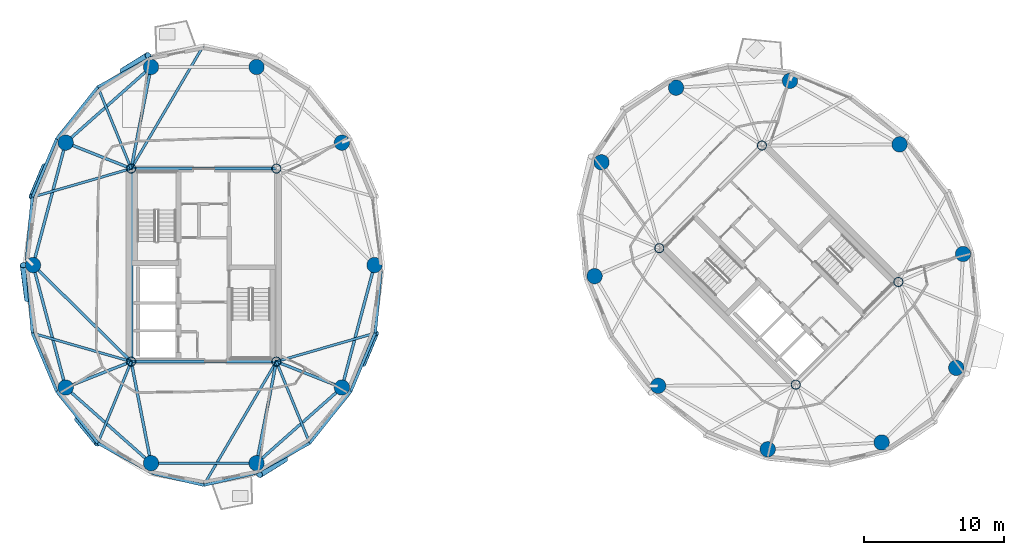
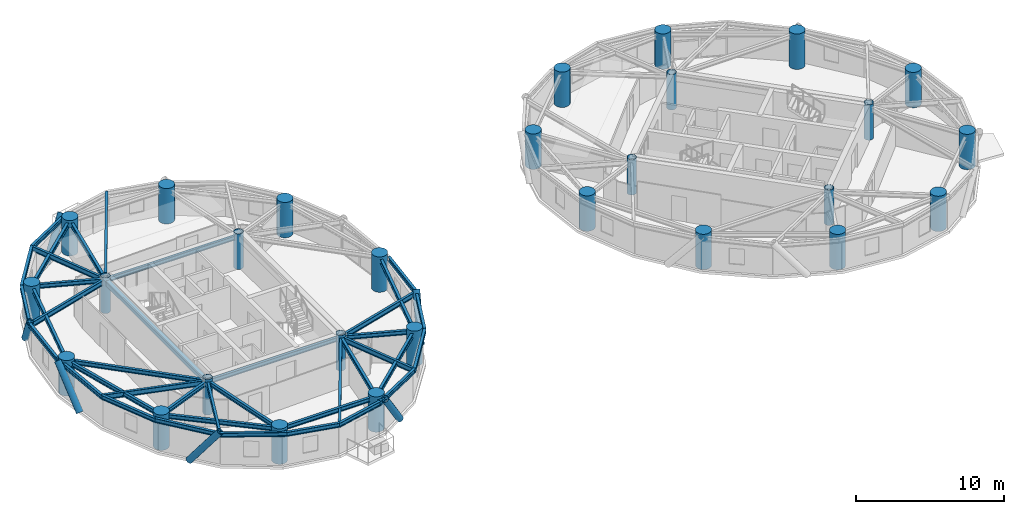
# One storey, part 1 of 15: 39 beams, 28 columns, 6 members.
"""IFC4 building model written with IfcOpenShell, lengths in metres."""

from ifc_helpers import new_model, si_unit, direction, frame, origin, origin_2d, place, context, subcontext, project, spatial, hollow_rectangle, circle, hollow_circle, i_section, extrude, material, material_profile, profile_set, type_object, element, save


model = new_model("IFC4")

# Units and contexts
model_context = context("Model", 3, precision=1e-05, world=origin(), true_north=direction((0.0, 1.0)))
body_context = subcontext(model_context, "Body", "Model", "MODEL_VIEW")
ifc_project = project(units=[si_unit("LENGTHUNIT", "METRE"), si_unit("AREAUNIT", "SQUARE_METRE"), si_unit("VOLUMEUNIT", "CUBIC_METRE"), si_unit("PLANEANGLEUNIT", "RADIAN"), si_unit("MASSUNIT", "GRAM", prefix="KILO")], contexts=[model_context])

# Site, building, storey
site_placement = place(None, origin())
site = spatial("IfcSite", under=ifc_project, at=site_placement, CompositionType="ELEMENT")
building_placement = place(site_placement, origin())
building = spatial("IfcBuilding", under=site, at=building_placement, Name="Cununo Teusaquillo Station Towers", CompositionType="ELEMENT")
storey_placement = place(building_placement, frame((0.0, 0.0, 199.570068359375)))
storey = spatial("IfcBuildingStorey", under=building, at=storey_placement, Name="L63", CompositionType="ELEMENT", Elevation=199.570068359375)

# Columns
ifc_material_1 = material(Name="Steel EN 10025-2 S355J2", Category="steel")
ifc_material_profile_1 = material_profile(ifc_material_1, hollow_circle(Radius=0.330078125, WallThickness=0.02490234375, at=origin_2d()), Name="CHS 660x25")
ifc_profile_set_1 = profile_set([ifc_material_profile_1], Name="Steel EN 10025-2 S355J2")
column_type_1 = type_object("IfcColumnType", Name="COL-CORE-Z3", PredefinedType="COLUMN", material=ifc_profile_set_1)
for number, where, z_axis, x_axis, name in (
    (1, (11.324951171875, 17.6201171875, 0.0), (0.0, 0.0, 1.0), (1.0, 0.0, 0.0), "L63 Tower A Core Column 1"),
    (2, (11.324951171875, 31.3798828125, 0.0), (0.0, 0.0, 1.0), (1.0, 0.0, 0.0), "L63 Tower A Core Column 2"),
    (3, (21.675048828125, 17.6201171875, 0.0), (0.0, 0.0, 1.0), (1.0, 0.0, 0.0), "L63 Tower A Core Column 3"),
    (4, (21.675048828125, 31.3798828125, 0.0), (0.0, 0.0, 1.0), (1.0, 0.0, 0.0), "L63 Tower A Core Column 4"),
    (5, (58.70556640625, 15.975830078125, 0.0), (0.0, 0.0, 1.0), (0.707106781187, 0.707106781187, 0.0), "L63 Tower B Core Column 1"),
    (6, (48.975830078125, 25.70556640625, 0.0), (0.0, 0.0, 1.0), (0.707106781187, 0.707106781187, 0.0), "L63 Tower B Core Column 2"),
    (7, (66.024169921875, 23.29443359375, 0.0), (0.0, 0.0, 1.0), (0.707106781187, 0.707106781187, 0.0), "L63 Tower B Core Column 3"),
    (8, (56.29443359375, 33.024169921875, 0.0), (0.0, 0.0, 1.0), (0.707106781187, 0.707106781187, 0.0), "L63 Tower B Core Column 4"),
):
    element("IfcColumn", number, at=place(storey_placement, frame(where, z_axis=z_axis, x_axis=x_axis)), inside=storey, type_object=column_type_1, Name=name, PredefinedType="COLUMN", context=body_context, shape_type="SweptSolid", body=[
        extrude(hollow_circle(Radius=0.330078125, WallThickness=0.02490234375, at=origin_2d()), origin(), (0.0, 0.0, 1.0), 2.909912109375),
    ])
ifc_material_2 = material(Name="Concrete C50/60", Category="concrete")
ifc_material_profile_2 = material_profile(ifc_material_2, circle(Radius=0.550048828125, at=origin_2d()), Name="RC-CIRC-1100")
ifc_profile_set_2 = profile_set([ifc_material_profile_2], Name="Concrete C50/60")
column_type_2 = type_object("IfcColumnType", Name="COL-MEGA-Z4", PredefinedType="USERDEFINED", material=ifc_profile_set_2)
for number, where, z_axis, x_axis, name in (
    (9, (28.672119140625, 24.5, 0.0), (0.0, 0.0, 1.0), (1.0, 0.0, 0.0), "L63 Tower A Perimeter Column V00"),
    (10, (26.347412109375, 33.228515625, 0.0), (0.0, 0.0, 1.0), (1.0, 0.0, 0.0), "L63 Tower A Perimeter Column V02"),
    (11, (20.261474609375, 38.623291015625, 0.0), (0.0, 0.0, 1.0), (1.0, 0.0, 0.0), "L63 Tower A Perimeter Column V04"),
    (12, (12.738525390625, 38.623291015625, 0.0), (0.0, 0.0, 1.0), (1.0, 0.0, 0.0), "L63 Tower A Perimeter Column V06"),
    (13, (6.652587890625, 33.228515625, 0.0), (0.0, 0.0, 1.0), (1.0, 0.0, 0.0), "L63 Tower A Perimeter Column V08"),
    (14, (4.327880859375, 24.5, 0.0), (0.0, 0.0, 1.0), (1.0, 0.0, 0.0), "L63 Tower A Perimeter Column V10"),
    (15, (6.652587890625, 15.771484375, 0.0), (0.0, 0.0, 1.0), (1.0, 0.0, 0.0), "L63 Tower A Perimeter Column V12"),
    (16, (12.738525390625, 10.376708984375, 0.0), (0.0, 0.0, 1.0), (1.0, 0.0, 0.0), "L63 Tower A Perimeter Column V14"),
    (17, (20.261474609375, 10.376708984375, 0.0), (0.0, 0.0, 1.0), (1.0, 0.0, 0.0), "L63 Tower A Perimeter Column V16"),
    (18, (26.347412109375, 15.771484375, 0.0), (0.0, 0.0, 1.0), (1.0, 0.0, 0.0), "L63 Tower A Perimeter Column V18"),
    (19, (66.10693359375, 33.10693359375, 0.0), (0.0, 0.0, 1.0), (1.0, 0.0, 0.0), "L63 Tower B Perimeter Column V00"),
    (20, (58.291015625, 37.63525390625, 0.0), (0.0, 0.0, 1.0), (1.0, 0.0, 0.0), "L63 Tower B Perimeter Column V02"),
    (21, (50.173095703125, 37.146240234375, 0.0), (0.0, 0.0, 1.0), (1.0, 0.0, 0.0), "L63 Tower B Perimeter Column V04"),
    (22, (44.853759765625, 31.826904296875, 0.0), (0.0, 0.0, 1.0), (1.0, 0.0, 0.0), "L63 Tower B Perimeter Column V06"),
    (23, (44.36474609375, 23.708984375, 0.0), (0.0, 0.0, 1.0), (1.0, 0.0, 0.0), "L63 Tower B Perimeter Column V08"),
    (24, (48.89306640625, 15.89306640625, 0.0), (0.0, 0.0, 1.0), (1.0, 0.0, 0.0), "L63 Tower B Perimeter Column V10"),
    (25, (56.708984375, 11.36474609375, 0.0), (0.0, 0.0, 1.0), (1.0, 0.0, 0.0), "L63 Tower B Perimeter Column V12"),
    (26, (64.826904296875, 11.853759765625, 0.0), (0.0, 0.0, 1.0), (1.0, 0.0, 0.0), "L63 Tower B Perimeter Column V14"),
    (27, (70.146240234375, 17.173095703125, 0.0), (0.0, 0.0, 1.0), (1.0, 0.0, 0.0), "L63 Tower B Perimeter Column V16"),
    (28, (70.63525390625, 25.291015625, 0.0), (0.0, 0.0, 1.0), (1.0, 0.0, 0.0), "L63 Tower B Perimeter Column V18"),
):
    element("IfcColumn", number, at=place(storey_placement, frame(where, z_axis=z_axis, x_axis=x_axis)), inside=storey, type_object=column_type_2, Name=name, ObjectType="MEGA COLUMN", PredefinedType="USERDEFINED", context=body_context, shape_type="SweptSolid", body=[
        extrude(circle(Radius=0.550048828125, at=origin_2d()), origin(), (0.0, 0.0, 1.0), 2.909912109375),
    ])

# Beams
ifc_material_3 = material(Name="Steel EN 10025-2 S355J2", Category="steel")
ifc_material_profile_3 = material_profile(ifc_material_3, hollow_rectangle(XDim=0.25, YDim=0.449951171875, WallThickness=0.01611328125, at=origin_2d()), Name="RHS 450x250x16")
ifc_profile_set_3 = profile_set([ifc_material_profile_3], Name="Steel EN 10025-2 S355J2")
beam_type_1 = type_object("IfcBeamType", Name="BM-COUP-1", PredefinedType="USERDEFINED", material=ifc_profile_set_3)
beam_1_placement = place(storey_placement, frame((11.324951171875, 17.6201171875, 2.474853515625), z_axis=(0.0, 1.0, 0.0), x_axis=(-1.0, 0.0, 0.0)))
element("IfcBeam", 29, at=beam_1_placement, inside=storey, type_object=beam_type_1, Name="L63 Tower A Core Beam 1", ObjectType="COUPLING BEAM", PredefinedType="USERDEFINED", context=body_context, shape_type="SweptSolid", body=[
    extrude(hollow_rectangle(XDim=0.25, YDim=0.449951171875, WallThickness=0.01611328125, at=origin_2d()), origin(), (0.0, 0.0, 1.0), 13.759765625),
])
ifc_material_4 = material(Name="Steel ASTM A572 Grade 50", Category="steel")
ifc_material_profile_4 = material_profile(ifc_material_4, i_section(OverallWidth=0.180908203125, OverallDepth=0.4169921875, WebThickness=0.010986328125, FlangeThickness=0.018310546875, FilletRadius=0.012939453125, at=origin_2d()), Name="W16X57")
ifc_profile_set_4 = profile_set([ifc_material_profile_4], Name="Steel ASTM A572 Grade 50")
beam_type_2 = type_object("IfcBeamType", Name="BM-JOIST-1", PredefinedType="JOIST", material=ifc_profile_set_4)
beam_2_placement = place(storey_placement, frame((11.324951171875, 31.3798828125, 2.491455078125), z_axis=(0.506486432091, 0.862247930765, 0.0), x_axis=(-0.862247930765, 0.506486432091, 0.0)))
element("IfcBeam", 30, at=beam_2_placement, inside=storey, type_object=beam_type_2, Name="L63 Tower A Radial Spandrel Joist V05", PredefinedType="JOIST", context=body_context, shape_type="SweptSolid", body=[
    extrude(i_section(OverallWidth=0.180908203125, OverallDepth=0.4169921875, WebThickness=0.010986328125, FlangeThickness=0.018310546875, FilletRadius=0.012939453125, at=origin_2d()), origin(), (0.0, 0.0, 1.0), 10.217529296875),
])
beam_3_placement = place(storey_placement, frame((11.324951171875, 31.3798828125, 2.491455078125), z_axis=(-0.378576847217, 0.925569862707, 0.0), x_axis=(-0.925569862707, -0.378576847217, 0.0)))
element("IfcBeam", 31, at=beam_3_placement, inside=storey, type_object=beam_type_2, Name="L63 Tower A Radial Spandrel Joist V07", PredefinedType="JOIST", context=body_context, shape_type="SweptSolid", body=[
    extrude(i_section(OverallWidth=0.180908203125, OverallDepth=0.4169921875, WebThickness=0.010986328125, FlangeThickness=0.018310546875, FilletRadius=0.012939453125, at=origin_2d()), origin(), (0.0, 0.0, 1.0), 6.28125),
])
for number, where, z_axis, x_axis, name in (
    (32, (11.324951171875, 31.3798828125, 2.491455078125), (-0.960861603375, -0.277028841748, 0.0), (0.277028841748, -0.960861603375, 0.0), "L63 Tower A Radial Spandrel Joist V09"),
    (33, (11.324951171875, 17.6201171875, 2.491455078125), (-0.960861603375, 0.277028841748, 0.0), (-0.277028841748, -0.960861603375, 0.0), "L63 Tower A Radial Spandrel Joist V11"),
):
    element("IfcBeam", number, at=place(storey_placement, frame(where, z_axis=z_axis, x_axis=x_axis)), inside=storey, type_object=beam_type_2, Name=name, PredefinedType="JOIST", context=body_context, shape_type="SweptSolid", body=[
        extrude(i_section(OverallWidth=0.180908203125, OverallDepth=0.4169921875, WebThickness=0.010986328125, FlangeThickness=0.018310546875, FilletRadius=0.012939453125, at=origin_2d()), origin(), (0.0, 0.0, 1.0), 7.333251953125),
    ])
beam_4_placement = place(storey_placement, frame((11.324951171875, 17.6201171875, 2.491455078125), z_axis=(-0.378576847217, -0.925569862707, 0.0), x_axis=(0.925569862707, -0.378576847217, 0.0)))
element("IfcBeam", 34, at=beam_4_placement, inside=storey, type_object=beam_type_2, Name="L63 Tower A Radial Spandrel Joist V13", PredefinedType="JOIST", context=body_context, shape_type="SweptSolid", body=[
    extrude(i_section(OverallWidth=0.180908203125, OverallDepth=0.4169921875, WebThickness=0.010986328125, FlangeThickness=0.018310546875, FilletRadius=0.012939453125, at=origin_2d()), origin(), (0.0, 0.0, 1.0), 6.28125),
])
beam_5_placement = place(storey_placement, frame((21.675048828125, 17.6201171875, 2.491455078125), z_axis=(-0.506486432091, -0.862247930765, 0.0), x_axis=(0.862247930765, -0.506486432091, 0.0)))
element("IfcBeam", 35, at=beam_5_placement, inside=storey, type_object=beam_type_2, Name="L63 Tower A Radial Spandrel Joist V15", PredefinedType="JOIST", context=body_context, shape_type="SweptSolid", body=[
    extrude(i_section(OverallWidth=0.180908203125, OverallDepth=0.4169921875, WebThickness=0.010986328125, FlangeThickness=0.018310546875, FilletRadius=0.012939453125, at=origin_2d()), origin(), (0.0, 0.0, 1.0), 10.217529296875),
])
beam_6_placement = place(storey_placement, frame((21.675048828125, 17.6201171875, 2.491455078125), z_axis=(0.378576847217, -0.925569862707, 0.0), x_axis=(0.925569862707, 0.378576847217, 0.0)))
element("IfcBeam", 36, at=beam_6_placement, inside=storey, type_object=beam_type_2, Name="L63 Tower A Radial Spandrel Joist V17", PredefinedType="JOIST", context=body_context, shape_type="SweptSolid", body=[
    extrude(i_section(OverallWidth=0.180908203125, OverallDepth=0.4169921875, WebThickness=0.010986328125, FlangeThickness=0.018310546875, FilletRadius=0.012939453125, at=origin_2d()), origin(), (0.0, 0.0, 1.0), 6.28125),
])
beam_7_placement = place(storey_placement, frame((21.675048828125, 17.6201171875, 2.491455078125), z_axis=(0.960861603375, 0.277028841748, 0.0), x_axis=(-0.277028841748, 0.960861603375, 0.0)))
element("IfcBeam", 37, at=beam_7_placement, inside=storey, type_object=beam_type_2, Name="L63 Tower A Radial Spandrel Joist V19", PredefinedType="JOIST", context=body_context, shape_type="SweptSolid", body=[
    extrude(i_section(OverallWidth=0.180908203125, OverallDepth=0.4169921875, WebThickness=0.010986328125, FlangeThickness=0.018310546875, FilletRadius=0.012939453125, at=origin_2d()), origin(), (0.0, 0.0, 1.0), 7.333251953125),
])
ifc_material_5 = material(Name="Steel ASTM A572 Grade 50", Category="steel")
ifc_material_profile_5 = material_profile(ifc_material_5, i_section(OverallWidth=0.2041015625, OverallDepth=0.35009765625, WebThickness=0.008544921875, FlangeThickness=0.01513671875, FilletRadius=0.011962890625, at=origin_2d()), Name="W14X48")
ifc_profile_set_5 = profile_set([ifc_material_profile_5], Name="Steel ASTM A572 Grade 50")
beam_type_3 = type_object("IfcBeamType", Name="BM-LINTEL-1", PredefinedType="LINTEL", material=ifc_profile_set_5)
for number, where, z_axis, x_axis, name in (
    (38, (11.324951171875, 17.6201171875, 2.52490234375), (1.0, 0.0, 0.0), (0.0, 1.0, 0.0), "L63 Tower A Core Beam 3"),
    (39, (11.324951171875, 31.3798828125, 2.52490234375), (1.0, 0.0, 0.0), (0.0, 1.0, 0.0), "L63 Tower A Core Beam 4"),
):
    element("IfcBeam", number, at=place(storey_placement, frame(where, z_axis=z_axis, x_axis=x_axis)), inside=storey, type_object=beam_type_3, Name=name, PredefinedType="LINTEL", context=body_context, shape_type="SweptSolid", body=[
        extrude(i_section(OverallWidth=0.2041015625, OverallDepth=0.35009765625, WebThickness=0.008544921875, FlangeThickness=0.01513671875, FilletRadius=0.011962890625, at=origin_2d()), origin(), (0.0, 0.0, 1.0), 10.35009765625),
    ])
ifc_material_6 = material(Name="Steel ASTM A572 Grade 50", Category="steel")
ifc_material_profile_6 = material_profile(ifc_material_6, i_section(OverallWidth=0.2041015625, OverallDepth=0.35009765625, WebThickness=0.008544921875, FlangeThickness=0.01513671875, FilletRadius=0.011962890625, at=origin_2d()), Name="W14X48")
ifc_profile_set_6 = profile_set([ifc_material_profile_6], Name="Steel ASTM A572 Grade 50")
beam_type_4 = type_object("IfcBeamType", Name="BM-RAD-G3", PredefinedType="BEAM", material=ifc_profile_set_6)
beam_8_placement = place(storey_placement, frame((11.324951171875, 31.3798828125, 2.52490234375), z_axis=(0.191548487699, 0.981483151593, 0.0), x_axis=(-0.981483151593, 0.191548487699, 0.0)))
element("IfcBeam", 40, at=beam_8_placement, inside=storey, type_object=beam_type_4, Name="L63 Tower A Continuous Overhanging Radial Girder 04", PredefinedType="BEAM", context=body_context, shape_type="SweptSolid", body=[
    extrude(i_section(OverallWidth=0.2041015625, OverallDepth=0.35009765625, WebThickness=0.008544921875, FlangeThickness=0.01513671875, FilletRadius=0.011962890625, at=origin_2d()), origin(), (0.0, 0.0, 1.0), 8.1240234375),
])
beam_9_placement = place(storey_placement, frame((11.324951171875, 31.3798828125, 2.52490234375), z_axis=(-0.929851670487, 0.36793460138, 0.0), x_axis=(-0.36793460138, -0.929851670487, 0.0)))
element("IfcBeam", 41, at=beam_9_placement, inside=storey, type_object=beam_type_4, Name="L63 Tower A Continuous Overhanging Radial Girder 05", PredefinedType="BEAM", context=body_context, shape_type="SweptSolid", body=[
    extrude(i_section(OverallWidth=0.2041015625, OverallDepth=0.35009765625, WebThickness=0.008544921875, FlangeThickness=0.01513671875, FilletRadius=0.011962890625, at=origin_2d()), origin(), (0.0, 0.0, 1.0), 5.71630859375),
])
beam_10_placement = place(storey_placement, frame((11.324951171875, 17.6201171875, 2.52490234375), z_axis=(-0.713052701438, 0.701110437073, 0.0), x_axis=(-0.701110437073, -0.713052701438, 0.0)))
element("IfcBeam", 42, at=beam_10_placement, inside=storey, type_object=beam_type_4, Name="L63 Tower A Radial Girder 06A", PredefinedType="BEAM", context=body_context, shape_type="SweptSolid", body=[
    extrude(i_section(OverallWidth=0.2041015625, OverallDepth=0.35009765625, WebThickness=0.008544921875, FlangeThickness=0.01513671875, FilletRadius=0.011962890625, at=origin_2d()), origin(), (0.0, 0.0, 1.0), 9.812744140625),
])
beam_11_placement = place(storey_placement, frame((11.324951171875, 17.6201171875, 2.52490234375), z_axis=(-0.929851670487, -0.36793460138, 0.0), x_axis=(0.36793460138, -0.929851670487, 0.0)))
element("IfcBeam", 43, at=beam_11_placement, inside=storey, type_object=beam_type_4, Name="L63 Tower A Continuous Overhanging Radial Girder 07", PredefinedType="BEAM", context=body_context, shape_type="SweptSolid", body=[
    extrude(i_section(OverallWidth=0.2041015625, OverallDepth=0.35009765625, WebThickness=0.008544921875, FlangeThickness=0.01513671875, FilletRadius=0.011962890625, at=origin_2d()), origin(), (0.0, 0.0, 1.0), 5.71630859375),
])
for number, where, z_axis, x_axis, name in (
    (44, (11.324951171875, 17.6201171875, 2.52490234375), (0.191548487699, -0.981483151593, 0.0), (0.981483151593, 0.191548487699, 0.0), "L63 Tower A Continuous Overhanging Radial Girder 08"),
    (45, (21.675048828125, 17.6201171875, 2.52490234375), (-0.191548487699, -0.981483151593, 0.0), (0.981483151593, -0.191548487699, 0.0), "L63 Tower A Continuous Overhanging Radial Girder 09"),
):
    element("IfcBeam", number, at=place(storey_placement, frame(where, z_axis=z_axis, x_axis=x_axis)), inside=storey, type_object=beam_type_4, Name=name, PredefinedType="BEAM", context=body_context, shape_type="SweptSolid", body=[
        extrude(i_section(OverallWidth=0.2041015625, OverallDepth=0.35009765625, WebThickness=0.008544921875, FlangeThickness=0.01513671875, FilletRadius=0.011962890625, at=origin_2d()), origin(), (0.0, 0.0, 1.0), 8.1240234375),
    ])
beam_12_placement = place(storey_placement, frame((21.675048828125, 17.6201171875, 2.52490234375), z_axis=(0.929851670487, -0.36793460138, 0.0), x_axis=(0.36793460138, 0.929851670487, 0.0)))
element("IfcBeam", 46, at=beam_12_placement, inside=storey, type_object=beam_type_4, Name="L63 Tower A Continuous Overhanging Radial Girder 10", PredefinedType="BEAM", context=body_context, shape_type="SweptSolid", body=[
    extrude(i_section(OverallWidth=0.2041015625, OverallDepth=0.35009765625, WebThickness=0.008544921875, FlangeThickness=0.01513671875, FilletRadius=0.011962890625, at=origin_2d()), origin(), (0.0, 0.0, 1.0), 5.71630859375),
])
ifc_material_7 = material(Name="Steel ASTM A572 Grade 50", Category="steel")
ifc_material_profile_7 = material_profile(ifc_material_7, i_section(OverallWidth=0.2041015625, OverallDepth=0.35009765625, WebThickness=0.008544921875, FlangeThickness=0.01513671875, FilletRadius=0.011962890625, at=origin_2d()), Name="W14X48")
ifc_profile_set_7 = profile_set([ifc_material_profile_7], Name="Steel ASTM A572 Grade 50")
beam_type_5 = type_object("IfcBeamType", Name="BM-RING-Z4", PredefinedType="SPANDREL", material=ifc_profile_set_7)
beam_13_placement = place(storey_placement, frame((12.738525390625, 38.623291015625, 2.52490234375), z_axis=(-0.74832120039, -0.66333655187, 0.0), x_axis=(0.66333655187, -0.74832120039, 0.0)))
element("IfcBeam", 47, at=beam_13_placement, inside=storey, type_object=beam_type_5, Name="L63 Tower A Structural Column Ring Girder 04", PredefinedType="SPANDREL", context=body_context, shape_type="SweptSolid", body=[
    extrude(i_section(OverallWidth=0.2041015625, OverallDepth=0.35009765625, WebThickness=0.008544921875, FlangeThickness=0.01513671875, FilletRadius=0.011962890625, at=origin_2d()), origin(), (0.0, 0.0, 1.0), 8.1328125),
])
for number, where, z_axis, x_axis, name in (
    (48, (6.652587890625, 33.228515625, 2.52490234375), (-0.257363196347, -0.966314744359, 0.0), (0.966314744359, -0.257363196347, 0.0), "L63 Tower A Structural Column Ring Girder 05"),
    (49, (4.327880859375, 24.5, 2.52490234375), (0.257363196347, -0.966314744359, 0.0), (0.966314744359, 0.257363196347, 0.0), "L63 Tower A Structural Column Ring Girder 06"),
):
    element("IfcBeam", number, at=place(storey_placement, frame(where, z_axis=z_axis, x_axis=x_axis)), inside=storey, type_object=beam_type_5, Name=name, PredefinedType="SPANDREL", context=body_context, shape_type="SweptSolid", body=[
        extrude(i_section(OverallWidth=0.2041015625, OverallDepth=0.35009765625, WebThickness=0.008544921875, FlangeThickness=0.01513671875, FilletRadius=0.011962890625, at=origin_2d()), origin(), (0.0, 0.0, 1.0), 9.03271484375),
    ])
beam_14_placement = place(storey_placement, frame((6.652587890625, 15.771484375, 2.52490234375), z_axis=(0.74832120039, -0.66333655187, 0.0), x_axis=(0.66333655187, 0.74832120039, 0.0)))
element("IfcBeam", 50, at=beam_14_placement, inside=storey, type_object=beam_type_5, Name="L63 Tower A Structural Column Ring Girder 07", PredefinedType="SPANDREL", context=body_context, shape_type="SweptSolid", body=[
    extrude(i_section(OverallWidth=0.2041015625, OverallDepth=0.35009765625, WebThickness=0.008544921875, FlangeThickness=0.01513671875, FilletRadius=0.011962890625, at=origin_2d()), origin(), (0.0, 0.0, 1.0), 8.1328125),
])
beam_15_placement = place(storey_placement, frame((12.738525390625, 10.376708984375, 2.52490234375), z_axis=(1.0, 0.0, 0.0), x_axis=(0.0, 1.0, 0.0)))
element("IfcBeam", 51, at=beam_15_placement, inside=storey, type_object=beam_type_5, Name="L63 Tower A Structural Column Ring Girder 08", PredefinedType="SPANDREL", context=body_context, shape_type="SweptSolid", body=[
    extrude(i_section(OverallWidth=0.2041015625, OverallDepth=0.35009765625, WebThickness=0.008544921875, FlangeThickness=0.01513671875, FilletRadius=0.011962890625, at=origin_2d()), origin(), (0.0, 0.0, 1.0), 7.52294921875),
])
beam_16_placement = place(storey_placement, frame((20.261474609375, 10.376708984375, 2.52490234375), z_axis=(0.74832120039, 0.66333655187, 0.0), x_axis=(-0.66333655187, 0.74832120039, 0.0)))
element("IfcBeam", 52, at=beam_16_placement, inside=storey, type_object=beam_type_5, Name="L63 Tower A Structural Column Ring Girder 09", PredefinedType="SPANDREL", context=body_context, shape_type="SweptSolid", body=[
    extrude(i_section(OverallWidth=0.2041015625, OverallDepth=0.35009765625, WebThickness=0.008544921875, FlangeThickness=0.01513671875, FilletRadius=0.011962890625, at=origin_2d()), origin(), (0.0, 0.0, 1.0), 8.1328125),
])
beam_17_placement = place(storey_placement, frame((26.347412109375, 15.771484375, 2.52490234375), z_axis=(0.257363196347, 0.966314744359, 0.0), x_axis=(-0.966314744359, 0.257363196347, 0.0)))
element("IfcBeam", 53, at=beam_17_placement, inside=storey, type_object=beam_type_5, Name="L63 Tower A Structural Column Ring Girder 10", PredefinedType="SPANDREL", context=body_context, shape_type="SweptSolid", body=[
    extrude(i_section(OverallWidth=0.2041015625, OverallDepth=0.35009765625, WebThickness=0.008544921875, FlangeThickness=0.01513671875, FilletRadius=0.011962890625, at=origin_2d()), origin(), (0.0, 0.0, 1.0), 9.03271484375),
])
beam_18_placement = place(storey_placement, frame((12.881103515625, 39.353515625, 2.52490234375), z_axis=(-0.876576300909, -0.481262910149, 0.0), x_axis=(0.481262910149, -0.876576300909, 0.0)))
element("IfcBeam", 54, at=beam_18_placement, inside=storey, type_object=beam_type_5, Name="L63 Tower A Spandrel Ring Beam 07", PredefinedType="SPANDREL", context=body_context, shape_type="SweptSolid", body=[
    extrude(i_section(OverallWidth=0.2041015625, OverallDepth=0.35009765625, WebThickness=0.008544921875, FlangeThickness=0.01513671875, FilletRadius=0.011962890625, at=origin_2d()), origin(), (0.0, 0.0, 1.0), 4.488037109375),
])
beam_19_placement = place(storey_placement, frame((8.947021484375, 37.193603515625, 2.52490234375), z_axis=(-0.620710872531, -0.784039547932, 0.0), x_axis=(0.784039547932, -0.620710872531, 0.0)))
element("IfcBeam", 55, at=beam_19_placement, inside=storey, type_object=beam_type_5, Name="L63 Tower A Spandrel Ring Beam 08", PredefinedType="SPANDREL", context=body_context, shape_type="SweptSolid", body=[
    extrude(i_section(OverallWidth=0.2041015625, OverallDepth=0.35009765625, WebThickness=0.008544921875, FlangeThickness=0.01513671875, FilletRadius=0.011962890625, at=origin_2d()), origin(), (0.0, 0.0, 1.0), 4.732421875),
])
beam_20_placement = place(storey_placement, frame((6.009521484375, 33.483154296875, 2.52490234375), z_axis=(-0.386115454066, -0.922450462698, 0.0), x_axis=(0.922450462698, -0.386115454066, 0.0)))
element("IfcBeam", 56, at=beam_20_placement, inside=storey, type_object=beam_type_5, Name="L63 Tower A Spandrel Ring Beam 09", PredefinedType="SPANDREL", context=body_context, shape_type="SweptSolid", body=[
    extrude(i_section(OverallWidth=0.2041015625, OverallDepth=0.35009765625, WebThickness=0.008544921875, FlangeThickness=0.01513671875, FilletRadius=0.011962890625, at=origin_2d()), origin(), (0.0, 0.0, 1.0), 4.482421875),
])
beam_21_placement = place(storey_placement, frame((4.27880859375, 29.348388671875, 2.52490234375), z_axis=(-0.093902932611, -0.995581357422, 0.0), x_axis=(0.995581357422, -0.093902932611, 0.0)))
element("IfcBeam", 57, at=beam_21_placement, inside=storey, type_object=beam_type_5, Name="L63 Tower A Spandrel Ring Beam 10", PredefinedType="SPANDREL", context=body_context, shape_type="SweptSolid", body=[
    extrude(i_section(OverallWidth=0.2041015625, OverallDepth=0.35009765625, WebThickness=0.008544921875, FlangeThickness=0.01513671875, FilletRadius=0.011962890625, at=origin_2d()), origin(), (0.0, 0.0, 1.0), 4.412109375),
])
beam_22_placement = place(storey_placement, frame((3.864501953125, 24.955810546875, 2.52490234375), z_axis=(0.077871988965, -0.996963366095, 0.0), x_axis=(0.996963366095, 0.077871988965, 0.0)))
element("IfcBeam", 58, at=beam_22_placement, inside=storey, type_object=beam_type_5, Name="L63 Tower A Spandrel Ring Beam 11", PredefinedType="SPANDREL", context=body_context, shape_type="SweptSolid", body=[
    extrude(i_section(OverallWidth=0.2041015625, OverallDepth=0.35009765625, WebThickness=0.008544921875, FlangeThickness=0.01513671875, FilletRadius=0.011962890625, at=origin_2d()), origin(), (0.0, 0.0, 1.0), 5.3203125),
])
beam_23_placement = place(storey_placement, frame((4.27880859375, 19.651611328125, 2.52490234375), z_axis=(0.386115454066, -0.922450462698, 0.0), x_axis=(0.922450462698, 0.386115454066, 0.0)))
element("IfcBeam", 59, at=beam_23_placement, inside=storey, type_object=beam_type_5, Name="L63 Tower A Spandrel Ring Beam 12", PredefinedType="SPANDREL", context=body_context, shape_type="SweptSolid", body=[
    extrude(i_section(OverallWidth=0.2041015625, OverallDepth=0.35009765625, WebThickness=0.008544921875, FlangeThickness=0.01513671875, FilletRadius=0.011962890625, at=origin_2d()), origin(), (0.0, 0.0, 1.0), 4.482421875),
])
beam_24_placement = place(storey_placement, frame((6.009521484375, 15.516845703125, 2.52490234375), z_axis=(0.620710872531, -0.784039547932, 0.0), x_axis=(0.784039547932, 0.620710872531, 0.0)))
element("IfcBeam", 60, at=beam_24_placement, inside=storey, type_object=beam_type_5, Name="L63 Tower A Spandrel Ring Beam 13", PredefinedType="SPANDREL", context=body_context, shape_type="SweptSolid", body=[
    extrude(i_section(OverallWidth=0.2041015625, OverallDepth=0.35009765625, WebThickness=0.008544921875, FlangeThickness=0.01513671875, FilletRadius=0.011962890625, at=origin_2d()), origin(), (0.0, 0.0, 1.0), 4.732421875),
])
beam_25_placement = place(storey_placement, frame((8.947021484375, 11.806396484375, 2.52490234375), z_axis=(0.876576300909, -0.481262910149, 0.0), x_axis=(0.481262910149, 0.876576300909, 0.0)))
element("IfcBeam", 61, at=beam_25_placement, inside=storey, type_object=beam_type_5, Name="L63 Tower A Spandrel Ring Beam 14", PredefinedType="SPANDREL", context=body_context, shape_type="SweptSolid", body=[
    extrude(i_section(OverallWidth=0.2041015625, OverallDepth=0.35009765625, WebThickness=0.008544921875, FlangeThickness=0.01513671875, FilletRadius=0.011962890625, at=origin_2d()), origin(), (0.0, 0.0, 1.0), 4.488037109375),
])
for number, where, z_axis, x_axis, name in (
    (62, (12.881103515625, 9.646484375, 2.52490234375), (0.97431470066, -0.225190728224, 0.0), (0.225190728224, 0.97431470066, 0.0), "L63 Tower A Spandrel Ring Beam 15"),
    (63, (16.5, 8.81005859375, 2.52490234375), (0.97431470066, 0.225190728224, 0.0), (-0.225190728224, 0.97431470066, 0.0), "L63 Tower A Spandrel Ring Beam 16"),
):
    element("IfcBeam", number, at=place(storey_placement, frame(where, z_axis=z_axis, x_axis=x_axis)), inside=storey, type_object=beam_type_5, Name=name, PredefinedType="SPANDREL", context=body_context, shape_type="SweptSolid", body=[
        extrude(i_section(OverallWidth=0.2041015625, OverallDepth=0.35009765625, WebThickness=0.008544921875, FlangeThickness=0.01513671875, FilletRadius=0.011962890625, at=origin_2d()), origin(), (0.0, 0.0, 1.0), 3.71435546875),
    ])
beam_26_placement = place(storey_placement, frame((20.118896484375, 9.646484375, 2.52490234375), z_axis=(0.876576300909, 0.481262910149, 0.0), x_axis=(-0.481262910149, 0.876576300909, 0.0)))
element("IfcBeam", 64, at=beam_26_placement, inside=storey, type_object=beam_type_5, Name="L63 Tower A Spandrel Ring Beam 17", PredefinedType="SPANDREL", context=body_context, shape_type="SweptSolid", body=[
    extrude(i_section(OverallWidth=0.2041015625, OverallDepth=0.35009765625, WebThickness=0.008544921875, FlangeThickness=0.01513671875, FilletRadius=0.011962890625, at=origin_2d()), origin(), (0.0, 0.0, 1.0), 4.488037109375),
])
beam_27_placement = place(storey_placement, frame((24.052978515625, 11.806396484375, 2.52490234375), z_axis=(0.620710872531, 0.784039547932, 0.0), x_axis=(-0.784039547932, 0.620710872531, 0.0)))
element("IfcBeam", 65, at=beam_27_placement, inside=storey, type_object=beam_type_5, Name="L63 Tower A Spandrel Ring Beam 18", PredefinedType="SPANDREL", context=body_context, shape_type="SweptSolid", body=[
    extrude(i_section(OverallWidth=0.2041015625, OverallDepth=0.35009765625, WebThickness=0.008544921875, FlangeThickness=0.01513671875, FilletRadius=0.011962890625, at=origin_2d()), origin(), (0.0, 0.0, 1.0), 4.732421875),
])
beam_28_placement = place(storey_placement, frame((26.990478515625, 15.516845703125, 2.52490234375), z_axis=(0.386115454066, 0.922450462698, 0.0), x_axis=(-0.922450462698, 0.386115454066, 0.0)))
element("IfcBeam", 66, at=beam_28_placement, inside=storey, type_object=beam_type_5, Name="L63 Tower A Spandrel Ring Beam 19", PredefinedType="SPANDREL", context=body_context, shape_type="SweptSolid", body=[
    extrude(i_section(OverallWidth=0.2041015625, OverallDepth=0.35009765625, WebThickness=0.008544921875, FlangeThickness=0.01513671875, FilletRadius=0.011962890625, at=origin_2d()), origin(), (0.0, 0.0, 1.0), 4.482421875),
])
beam_29_placement = place(storey_placement, frame((28.72119140625, 19.651611328125, 2.52490234375), z_axis=(0.093902932611, 0.995581357422, 0.0), x_axis=(-0.995581357422, 0.093902932611, 0.0)))
element("IfcBeam", 67, at=beam_29_placement, inside=storey, type_object=beam_type_5, Name="L63 Tower A Spandrel Ring Beam 20", PredefinedType="SPANDREL", context=body_context, shape_type="SweptSolid", body=[
    extrude(i_section(OverallWidth=0.2041015625, OverallDepth=0.35009765625, WebThickness=0.008544921875, FlangeThickness=0.01513671875, FilletRadius=0.011962890625, at=origin_2d()), origin(), (0.0, 0.0, 1.0), 4.412109375),
])

# Members
ifc_material_8 = material(Name="Steel EN 10025-2 S355J2", Category="steel")
ifc_material_profile_8 = material_profile(ifc_material_8, hollow_circle(Radius=0.25390625, WallThickness=0.01806640625, at=origin_2d()), Name="CHS 508x18")
ifc_profile_set_8 = profile_set([ifc_material_profile_8], Name="Steel EN 10025-2 S355J2")
member_type = type_object("IfcMemberType", Name="MBR-DIAG-Z4", PredefinedType="BRACE", material=ifc_profile_set_8)
member_1_placement = place(storey_placement, frame((10.738037109375, 38.307861328125, -0.14013671875), z_axis=(0.49830633528, 0.310015010117, 0.809679868666), x_axis=(-0.528249968439, 0.849088906325, 0.0)))
element("IfcMember", 68, at=member_1_placement, inside=storey, type_object=member_type, Name="L63 Tower A Folded-Zigzag Diagrid Tube C06", PredefinedType="BRACE", context=body_context, shape_type="SweptSolid", body=[
    extrude(hollow_circle(Radius=0.25390625, WallThickness=0.01806640625, at=origin_2d()), origin(), (0.0, 0.0, 1.0), 3.59423828125),
])
member_2_placement = place(storey_placement, frame((5.19140625, 31.535400390625, -0.14013671875), z_axis=(-0.243166093577, -0.582739932119, 0.775425317131), x_axis=(0.922875628603, -0.385098135713, 0.0)))
element("IfcMember", 69, at=member_2_placement, inside=storey, type_object=member_type, Name="L63 Tower A Folded-Zigzag Diagrid Tube C08", PredefinedType="BRACE", context=body_context, shape_type="SweptSolid", body=[
    extrude(hollow_circle(Radius=0.25390625, WallThickness=0.01806640625, at=origin_2d()), origin(), (0.0, 0.0, 1.0), 3.7529296875),
])
member_3_placement = place(storey_placement, frame((3.964599609375, 22.07568359375, -0.14013671875), z_axis=(-0.082799721821, 0.637859765461, 0.765688661057), x_axis=(-0.991679857004, -0.128728634006, 0.0)))
element("IfcMember", 70, at=member_3_placement, inside=storey, type_object=member_type, Name="L63 Tower A Folded-Zigzag Diagrid Tube C10", PredefinedType="BRACE", context=body_context, shape_type="SweptSolid", body=[
    extrude(hollow_circle(Radius=0.25390625, WallThickness=0.01806640625, at=origin_2d()), origin(), (0.0, 0.0, 1.0), 3.80078125),
])
member_4_placement = place(storey_placement, frame((7.525390625, 13.5419921875, -0.14013671875), z_axis=(0.38688543863, -0.472328453241, 0.791975687528), x_axis=(0.773608092629, 0.633664358331, 0.0)))
element("IfcMember", 71, at=member_4_placement, inside=storey, type_object=member_type, Name="L63 Tower A Folded-Zigzag Diagrid Tube C12", PredefinedType="BRACE", context=body_context, shape_type="SweptSolid", body=[
    extrude(hollow_circle(Radius=0.25390625, WallThickness=0.01806640625, at=origin_2d()), origin(), (0.0, 0.0, 1.0), 3.674560546875),
])
member_5_placement = place(storey_placement, frame((22.261962890625, 10.692138671875, -0.14013671875), z_axis=(-0.49830633528, -0.310015010117, 0.809679868666), x_axis=(0.528249968439, -0.849088906325, 0.0)))
element("IfcMember", 72, at=member_5_placement, inside=storey, type_object=member_type, Name="L63 Tower A Folded-Zigzag Diagrid Tube C16", PredefinedType="BRACE", context=body_context, shape_type="SweptSolid", body=[
    extrude(hollow_circle(Radius=0.25390625, WallThickness=0.01806640625, at=origin_2d()), origin(), (0.0, 0.0, 1.0), 3.59423828125),
])
member_6_placement = place(storey_placement, frame((27.80859375, 17.464599609375, -0.14013671875), z_axis=(0.243166093577, 0.582739932119, 0.775425317131), x_axis=(-0.922875628603, 0.385098135713, 0.0)))
element("IfcMember", 73, at=member_6_placement, inside=storey, type_object=member_type, Name="L63 Tower A Folded-Zigzag Diagrid Tube C18", PredefinedType="BRACE", context=body_context, shape_type="SweptSolid", body=[
    extrude(hollow_circle(Radius=0.25390625, WallThickness=0.01806640625, at=origin_2d()), origin(), (0.0, 0.0, 1.0), 3.7529296875),
])

save(model, "model.ifc")
